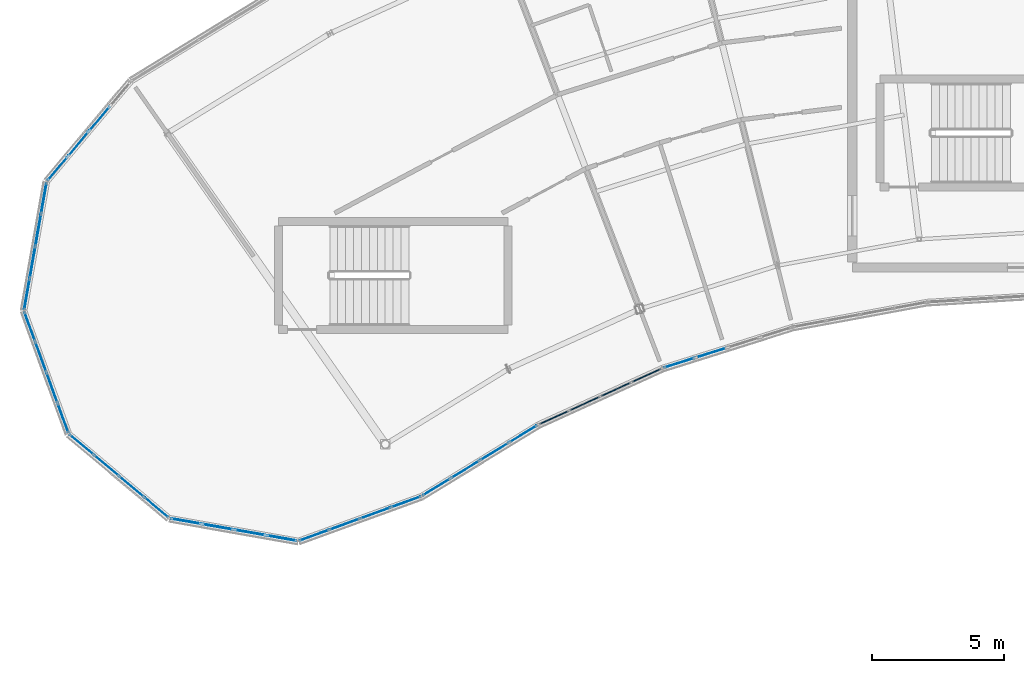
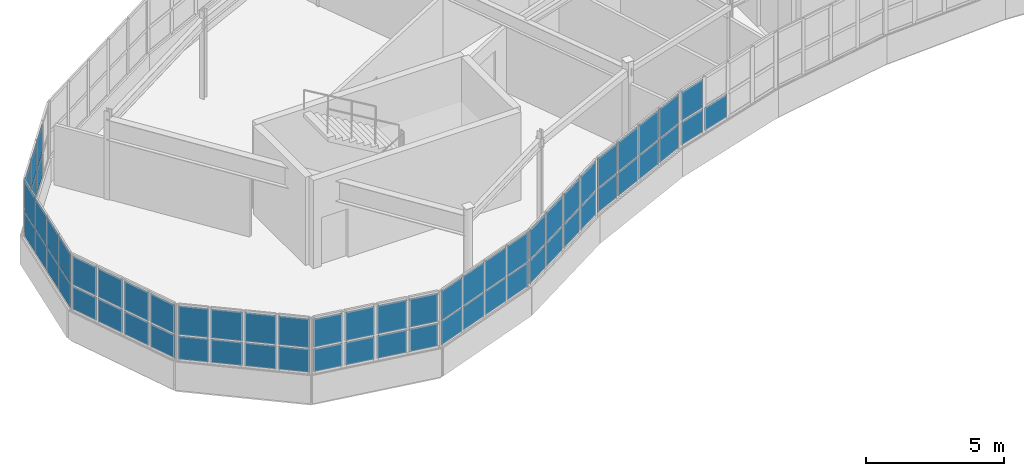
# One storey, part 51 of 79: 65 plates, 9 elements without a shape of their own.
"""IFC4 building model written with IfcOpenShell, lengths in metres."""

from ifc_helpers import new_model, si_unit, direction, frame, origin, origin_2d, place, context, subcontext, project, spatial, rectangle, extrude, material, layer, layer_set, type_object, element, aggregate, save


model = new_model("IFC4")

# Units and contexts
model_context = context("Model", 3, precision=1e-05, world=origin(), true_north=direction((0.0, 1.0)))
body_context = subcontext(model_context, "Body", "Model", "MODEL_VIEW")
ifc_project = project(units=[si_unit("LENGTHUNIT", "METRE"), si_unit("AREAUNIT", "SQUARE_METRE"), si_unit("VOLUMEUNIT", "CUBIC_METRE"), si_unit("PLANEANGLEUNIT", "RADIAN"), si_unit("MASSUNIT", "GRAM", prefix="KILO")], contexts=[model_context])

# Site, building, storey
site_placement = place(None, origin())
site = spatial("IfcSite", under=ifc_project, at=site_placement, CompositionType="ELEMENT")
building_placement = place(site_placement, origin())
building = spatial("IfcBuilding", under=site, at=building_placement, Name="Tarnwether General Hospital", CompositionType="ELEMENT")
storey_placement = place(building_placement, frame((0.0, 0.0, 18.300048828125)))
storey = spatial("IfcBuildingStorey", under=building, at=storey_placement, Name="L04", CompositionType="ELEMENT", Elevation=18.300048828125)

# Curtain wall, plates
ifc_material_1 = material(Name="Anodised aluminium", Category="aluminium")
ifc_layer_1 = layer(ifc_material_1, 0.159912109375)
ifc_layer_set_1 = layer_set([ifc_layer_1], Name="Anodised aluminium")
curtain_wall_type = type_object("IfcCurtainWallType", Name="CW-04", PredefinedType="NOTDEFINED", material=ifc_layer_set_1)
curtain_wall_1_placement = place(storey_placement, origin())
curtain_wall_1 = element("IfcCurtainWall", 1, at=curtain_wall_1_placement, inside=storey, type_object=curtain_wall_type, Name="Curtain Wall CWG-L04-543_1001-0034", PredefinedType="NOTDEFINED")
ifc_material_2 = material(Name="Double glazed low-E glass", Category="glass")
ifc_layer_2 = layer(ifc_material_2, 0.028076171875)
ifc_layer_set_2 = layer_set([ifc_layer_2], Name="Double glazed low-E glass")
plate_type_1 = type_object("IfcPlateType", Name="PT-CWP1", PredefinedType="CURTAIN_PANEL", material=ifc_layer_set_2)
plate_1_placement = place(storey_placement, frame((54.091552734375, 100.690185546875, 1.1201171875), z_axis=(0.0, 0.0, 1.0), x_axis=(-0.341953136469, 0.939717006582, 0.0)))
plate_1 = element("IfcPlate", 2, at=plate_1_placement, type_object=plate_type_1, Name="CW-04 panel 1.1", PredefinedType="CURTAIN_PANEL", context=body_context, shape_type="SweptSolid", body=[
    extrude(rectangle(XDim=1.13720703125, YDim=0.028076171875, at=origin_2d()), origin(), (0.0, 0.0, 1.0), 1.015380859375),
])
plate_2_placement = place(storey_placement, frame((54.091552734375, 100.690185546875, 2.20556640625), z_axis=(0.0, 0.0, 1.0), x_axis=(-0.341953136469, 0.939717006582, 0.0)))
plate_2 = element("IfcPlate", 3, at=plate_2_placement, type_object=plate_type_1, Name="CW-04 panel 1.2", PredefinedType="CURTAIN_PANEL", context=body_context, shape_type="SweptSolid", body=[
    extrude(rectangle(XDim=1.13720703125, YDim=0.028076171875, at=origin_2d()), origin(), (0.0, 0.0, 1.0), 1.264404296875),
])
plate_3_placement = place(storey_placement, frame((53.6728515625, 101.8408203125, 1.1201171875), z_axis=(0.0, 0.0, 1.0), x_axis=(-0.341953136469, 0.939717006582, 0.0)))
plate_3 = element("IfcPlate", 4, at=plate_3_placement, type_object=plate_type_1, Name="CW-04 panel 2.1", PredefinedType="CURTAIN_PANEL", context=body_context, shape_type="SweptSolid", body=[
    extrude(rectangle(XDim=1.172119140625, YDim=0.028076171875, at=origin_2d()), origin(), (0.0, 0.0, 1.0), 1.015380859375),
])
plate_4_placement = place(storey_placement, frame((53.6728515625, 101.8408203125, 2.20556640625), z_axis=(0.0, 0.0, 1.0), x_axis=(-0.341953136469, 0.939717006582, 0.0)))
plate_4 = element("IfcPlate", 5, at=plate_4_placement, type_object=plate_type_1, Name="CW-04 panel 2.2", PredefinedType="CURTAIN_PANEL", context=body_context, shape_type="SweptSolid", body=[
    extrude(rectangle(XDim=1.172119140625, YDim=0.028076171875, at=origin_2d()), origin(), (0.0, 0.0, 1.0), 1.264404296875),
])
plate_5_placement = place(storey_placement, frame((53.248046875, 103.008056640625, 1.1201171875), z_axis=(0.0, 0.0, 1.0), x_axis=(-0.341953136469, 0.939717006582, 0.0)))
plate_5 = element("IfcPlate", 6, at=plate_5_placement, type_object=plate_type_1, Name="CW-04 panel 3.1", PredefinedType="CURTAIN_PANEL", context=body_context, shape_type="SweptSolid", body=[
    extrude(rectangle(XDim=1.172119140625, YDim=0.028076171875, at=origin_2d()), origin(), (0.0, 0.0, 1.0), 1.015380859375),
])
plate_6_placement = place(storey_placement, frame((53.248046875, 103.008056640625, 2.20556640625), z_axis=(0.0, 0.0, 1.0), x_axis=(-0.341953136469, 0.939717006582, 0.0)))
plate_6 = element("IfcPlate", 7, at=plate_6_placement, type_object=plate_type_1, Name="CW-04 panel 3.2", PredefinedType="CURTAIN_PANEL", context=body_context, shape_type="SweptSolid", body=[
    extrude(rectangle(XDim=1.172119140625, YDim=0.028076171875, at=origin_2d()), origin(), (0.0, 0.0, 1.0), 1.264404296875),
])
plate_7_placement = place(storey_placement, frame((52.829345703125, 104.158935546875, 1.1201171875), z_axis=(0.0, 0.0, 1.0), x_axis=(-0.341953136469, 0.939717006582, 0.0)))
plate_7 = element("IfcPlate", 8, at=plate_7_placement, type_object=plate_type_1, Name="CW-04 panel 4.1", PredefinedType="CURTAIN_PANEL", context=body_context, shape_type="SweptSolid", body=[
    extrude(rectangle(XDim=1.13720703125, YDim=0.028076171875, at=origin_2d()), origin(), (0.0, 0.0, 1.0), 1.015380859375),
])
plate_8_placement = place(storey_placement, frame((52.829345703125, 104.158935546875, 2.20556640625), z_axis=(0.0, 0.0, 1.0), x_axis=(-0.341953136469, 0.939717006582, 0.0)))
plate_8 = element("IfcPlate", 9, at=plate_8_placement, type_object=plate_type_1, Name="CW-04 panel 4.2", PredefinedType="CURTAIN_PANEL", context=body_context, shape_type="SweptSolid", body=[
    extrude(rectangle(XDim=1.13720703125, YDim=0.028076171875, at=origin_2d()), origin(), (0.0, 0.0, 1.0), 1.264404296875),
])
aggregate(curtain_wall_1, [plate_1, plate_2, plate_3, plate_4, plate_5, plate_6, plate_7, plate_8])

curtain_wall_2_placement = place(storey_placement, origin())
curtain_wall_2 = element("IfcCurtainWall", 10, at=curtain_wall_2_placement, inside=storey, type_object=curtain_wall_type, Name="Curtain Wall CWG-L04-581_969-0035", PredefinedType="NOTDEFINED")
plate_9_placement = place(storey_placement, frame((57.628662109375, 97.304931640625, 1.114990234375), z_axis=(0.0, 0.0, 1.0), x_axis=(-0.765990176896, 0.64285227611, 0.0)))
plate_9 = element("IfcPlate", 11, at=plate_9_placement, type_object=plate_type_1, Name="CW-04 panel 1.1", PredefinedType="CURTAIN_PANEL", context=body_context, shape_type="SweptSolid", body=[
    extrude(rectangle(XDim=1.14501953125, YDim=0.028076171875, at=origin_2d()), origin(), (0.0, 0.0, 1.0), 1.02294921875),
])
plate_10_placement = place(storey_placement, frame((57.628662109375, 97.304931640625, 2.202880859375), z_axis=(0.0, 0.0, 1.0), x_axis=(-0.765990176896, 0.64285227611, 0.0)))
plate_10 = element("IfcPlate", 12, at=plate_10_placement, type_object=plate_type_1, Name="CW-04 panel 1.2", PredefinedType="CURTAIN_PANEL", context=body_context, shape_type="SweptSolid", body=[
    extrude(rectangle(XDim=1.14501953125, YDim=0.028076171875, at=origin_2d()), origin(), (0.0, 0.0, 1.0), 1.27197265625),
])
plate_11_placement = place(storey_placement, frame((56.689453125, 98.093017578125, 1.114990234375), z_axis=(0.0, 0.0, 1.0), x_axis=(-0.765990176896, 0.64285227611, 0.0)))
plate_11 = element("IfcPlate", 13, at=plate_11_placement, type_object=plate_type_1, Name="CW-04 panel 2.1", PredefinedType="CURTAIN_PANEL", context=body_context, shape_type="SweptSolid", body=[
    extrude(rectangle(XDim=1.177490234375, YDim=0.028076171875, at=origin_2d()), origin(), (0.0, 0.0, 1.0), 1.02294921875),
])
plate_12_placement = place(storey_placement, frame((56.689453125, 98.093017578125, 2.202880859375), z_axis=(0.0, 0.0, 1.0), x_axis=(-0.765990176896, 0.64285227611, 0.0)))
plate_12 = element("IfcPlate", 14, at=plate_12_placement, type_object=plate_type_1, Name="CW-04 panel 2.2", PredefinedType="CURTAIN_PANEL", context=body_context, shape_type="SweptSolid", body=[
    extrude(rectangle(XDim=1.177490234375, YDim=0.028076171875, at=origin_2d()), origin(), (0.0, 0.0, 1.0), 1.27197265625),
])
plate_13_placement = place(storey_placement, frame((55.737548828125, 98.891845703125, 1.114990234375), z_axis=(0.0, 0.0, 1.0), x_axis=(-0.765990176896, 0.64285227611, 0.0)))
plate_13 = element("IfcPlate", 15, at=plate_13_placement, type_object=plate_type_1, Name="CW-04 panel 3.1", PredefinedType="CURTAIN_PANEL", context=body_context, shape_type="SweptSolid", body=[
    extrude(rectangle(XDim=1.177490234375, YDim=0.028076171875, at=origin_2d()), origin(), (0.0, 0.0, 1.0), 1.02294921875),
])
plate_14_placement = place(storey_placement, frame((55.737548828125, 98.891845703125, 2.202880859375), z_axis=(0.0, 0.0, 1.0), x_axis=(-0.765990176896, 0.64285227611, 0.0)))
plate_14 = element("IfcPlate", 16, at=plate_14_placement, type_object=plate_type_1, Name="CW-04 panel 3.2", PredefinedType="CURTAIN_PANEL", context=body_context, shape_type="SweptSolid", body=[
    extrude(rectangle(XDim=1.177490234375, YDim=0.028076171875, at=origin_2d()), origin(), (0.0, 0.0, 1.0), 1.27197265625),
])
plate_15_placement = place(storey_placement, frame((54.79833984375, 99.68017578125, 1.114990234375), z_axis=(0.0, 0.0, 1.0), x_axis=(-0.765990176896, 0.64285227611, 0.0)))
plate_15 = element("IfcPlate", 17, at=plate_15_placement, type_object=plate_type_1, Name="CW-04 panel 4.1", PredefinedType="CURTAIN_PANEL", context=body_context, shape_type="SweptSolid", body=[
    extrude(rectangle(XDim=1.14501953125, YDim=0.028076171875, at=origin_2d()), origin(), (0.0, 0.0, 1.0), 1.02294921875),
])
plate_16_placement = place(storey_placement, frame((54.79833984375, 99.68017578125, 2.202880859375), z_axis=(0.0, 0.0, 1.0), x_axis=(-0.765990176896, 0.64285227611, 0.0)))
plate_16 = element("IfcPlate", 18, at=plate_16_placement, type_object=plate_type_1, Name="CW-04 panel 4.2", PredefinedType="CURTAIN_PANEL", context=body_context, shape_type="SweptSolid", body=[
    extrude(rectangle(XDim=1.14501953125, YDim=0.028076171875, at=origin_2d()), origin(), (0.0, 0.0, 1.0), 1.27197265625),
])
aggregate(curtain_wall_2, [plate_9, plate_10, plate_11, plate_12, plate_13, plate_14, plate_15, plate_16])

curtain_wall_3_placement = place(storey_placement, origin())
curtain_wall_3 = element("IfcCurtainWall", 19, at=curtain_wall_3_placement, inside=storey, type_object=curtain_wall_type, Name="Curtain Wall CWG-L04-677_977-0037", PredefinedType="NOTDEFINED")
plate_17_placement = place(storey_placement, frame((67.082275390625, 97.514404296875, 1.10986328125), z_axis=(0.0, 0.0, 1.0), x_axis=(-0.939652319163, -0.342130850834, 0.0)))
plate_17 = element("IfcPlate", 20, at=plate_17_placement, type_object=plate_type_1, Name="CW-04 panel 1.1", PredefinedType="CURTAIN_PANEL", context=body_context, shape_type="SweptSolid", body=[
    extrude(rectangle(XDim=1.152099609375, YDim=0.028076171875, at=origin_2d()), origin(), (0.0, 0.0, 1.0), 1.030517578125),
])
plate_18_placement = place(storey_placement, frame((67.082275390625, 97.514404296875, 2.2001953125), z_axis=(0.0, 0.0, 1.0), x_axis=(-0.939652319163, -0.342130850834, 0.0)))
plate_18 = element("IfcPlate", 21, at=plate_18_placement, type_object=plate_type_1, Name="CW-04 panel 1.2", PredefinedType="CURTAIN_PANEL", context=body_context, shape_type="SweptSolid", body=[
    extrude(rectangle(XDim=1.152099609375, YDim=0.028076171875, at=origin_2d()), origin(), (0.0, 0.0, 1.0), 1.279541015625),
])
plate_19_placement = place(storey_placement, frame((65.92919921875, 97.094482421875, 1.10986328125), z_axis=(0.0, 0.0, 1.0), x_axis=(-0.939652319163, -0.342130850834, 0.0)))
plate_19 = element("IfcPlate", 22, at=plate_19_placement, type_object=plate_type_1, Name="CW-04 panel 2.1", PredefinedType="CURTAIN_PANEL", context=body_context, shape_type="SweptSolid", body=[
    extrude(rectangle(XDim=1.18212890625, YDim=0.028076171875, at=origin_2d()), origin(), (0.0, 0.0, 1.0), 1.030517578125),
])
plate_20_placement = place(storey_placement, frame((65.92919921875, 97.094482421875, 2.2001953125), z_axis=(0.0, 0.0, 1.0), x_axis=(-0.939652319163, -0.342130850834, 0.0)))
plate_20 = element("IfcPlate", 23, at=plate_20_placement, type_object=plate_type_1, Name="CW-04 panel 2.2", PredefinedType="CURTAIN_PANEL", context=body_context, shape_type="SweptSolid", body=[
    extrude(rectangle(XDim=1.18212890625, YDim=0.028076171875, at=origin_2d()), origin(), (0.0, 0.0, 1.0), 1.279541015625),
])
plate_21_placement = place(storey_placement, frame((64.761962890625, 96.66943359375, 1.10986328125), z_axis=(0.0, 0.0, 1.0), x_axis=(-0.939652319163, -0.342130850834, 0.0)))
plate_21 = element("IfcPlate", 24, at=plate_21_placement, type_object=plate_type_1, Name="CW-04 panel 3.1", PredefinedType="CURTAIN_PANEL", context=body_context, shape_type="SweptSolid", body=[
    extrude(rectangle(XDim=1.18212890625, YDim=0.028076171875, at=origin_2d()), origin(), (0.0, 0.0, 1.0), 1.030517578125),
])
plate_22_placement = place(storey_placement, frame((64.761962890625, 96.66943359375, 2.2001953125), z_axis=(0.0, 0.0, 1.0), x_axis=(-0.939652319163, -0.342130850834, 0.0)))
plate_22 = element("IfcPlate", 25, at=plate_22_placement, type_object=plate_type_1, Name="CW-04 panel 3.2", PredefinedType="CURTAIN_PANEL", context=body_context, shape_type="SweptSolid", body=[
    extrude(rectangle(XDim=1.18212890625, YDim=0.028076171875, at=origin_2d()), origin(), (0.0, 0.0, 1.0), 1.279541015625),
])
plate_23_placement = place(storey_placement, frame((63.608642578125, 96.24951171875, 1.10986328125), z_axis=(0.0, 0.0, 1.0), x_axis=(-0.939652319163, -0.342130850834, 0.0)))
plate_23 = element("IfcPlate", 26, at=plate_23_placement, type_object=plate_type_1, Name="CW-04 panel 4.1", PredefinedType="CURTAIN_PANEL", context=body_context, shape_type="SweptSolid", body=[
    extrude(rectangle(XDim=1.152099609375, YDim=0.028076171875, at=origin_2d()), origin(), (0.0, 0.0, 1.0), 1.030517578125),
])
plate_24_placement = place(storey_placement, frame((63.608642578125, 96.24951171875, 2.2001953125), z_axis=(0.0, 0.0, 1.0), x_axis=(-0.939652319163, -0.342130850834, 0.0)))
plate_24 = element("IfcPlate", 27, at=plate_24_placement, type_object=plate_type_1, Name="CW-04 panel 4.2", PredefinedType="CURTAIN_PANEL", context=body_context, shape_type="SweptSolid", body=[
    extrude(rectangle(XDim=1.152099609375, YDim=0.028076171875, at=origin_2d()), origin(), (0.0, 0.0, 1.0), 1.279541015625),
])
aggregate(curtain_wall_3, [plate_17, plate_18, plate_19, plate_20, plate_21, plate_22, plate_23, plate_24])

curtain_wall_4_placement = place(storey_placement, origin())
curtain_wall_4 = element("IfcCurtainWall", 28, at=curtain_wall_4_placement, inside=storey, type_object=curtain_wall_type, Name="Curtain Wall CWG-L04-721_1004-0038", PredefinedType="NOTDEFINED")
plate_25_placement = place(storey_placement, frame((71.52734375, 100.08984375, 1.1201171875), z_axis=(0.0, 0.0, 1.0), x_axis=(-0.852631789198, -0.522512231483, 0.0)))
plate_25 = element("IfcPlate", 29, at=plate_25_placement, type_object=plate_type_1, Name="CW-04 panel 1.1", PredefinedType="CURTAIN_PANEL", context=body_context, shape_type="SweptSolid", body=[
    extrude(rectangle(XDim=1.189208984375, YDim=0.028076171875, at=origin_2d()), origin(), (0.0, 0.0, 1.0), 1.015380859375),
])
plate_26_placement = place(storey_placement, frame((71.52734375, 100.08984375, 2.20556640625), z_axis=(0.0, 0.0, 1.0), x_axis=(-0.852631789198, -0.522512231483, 0.0)))
plate_26 = element("IfcPlate", 30, at=plate_26_placement, type_object=plate_type_1, Name="CW-04 panel 1.2", PredefinedType="CURTAIN_PANEL", context=body_context, shape_type="SweptSolid", body=[
    extrude(rectangle(XDim=1.189208984375, YDim=0.028076171875, at=origin_2d()), origin(), (0.0, 0.0, 1.0), 1.264404296875),
])
plate_27_placement = place(storey_placement, frame((70.438720703125, 99.422607421875, 1.1201171875), z_axis=(0.0, 0.0, 1.0), x_axis=(-0.852631789198, -0.522512231483, 0.0)))
plate_27 = element("IfcPlate", 31, at=plate_27_placement, type_object=plate_type_1, Name="CW-04 panel 2.1", PredefinedType="CURTAIN_PANEL", context=body_context, shape_type="SweptSolid", body=[
    extrude(rectangle(XDim=1.22412109375, YDim=0.028076171875, at=origin_2d()), origin(), (0.0, 0.0, 1.0), 1.015380859375),
])
plate_28_placement = place(storey_placement, frame((70.438720703125, 99.422607421875, 2.20556640625), z_axis=(0.0, 0.0, 1.0), x_axis=(-0.852631789198, -0.522512231483, 0.0)))
plate_28 = element("IfcPlate", 32, at=plate_28_placement, type_object=plate_type_1, Name="CW-04 panel 2.2", PredefinedType="CURTAIN_PANEL", context=body_context, shape_type="SweptSolid", body=[
    extrude(rectangle(XDim=1.22412109375, YDim=0.028076171875, at=origin_2d()), origin(), (0.0, 0.0, 1.0), 1.264404296875),
])
plate_29_placement = place(storey_placement, frame((69.335205078125, 98.746337890625, 1.1201171875), z_axis=(0.0, 0.0, 1.0), x_axis=(-0.852631789198, -0.522512231483, 0.0)))
plate_29 = element("IfcPlate", 33, at=plate_29_placement, type_object=plate_type_1, Name="CW-04 panel 3.1", PredefinedType="CURTAIN_PANEL", context=body_context, shape_type="SweptSolid", body=[
    extrude(rectangle(XDim=1.22412109375, YDim=0.028076171875, at=origin_2d()), origin(), (0.0, 0.0, 1.0), 1.015380859375),
])
plate_30_placement = place(storey_placement, frame((69.335205078125, 98.746337890625, 2.20556640625), z_axis=(0.0, 0.0, 1.0), x_axis=(-0.852631789198, -0.522512231483, 0.0)))
plate_30 = element("IfcPlate", 34, at=plate_30_placement, type_object=plate_type_1, Name="CW-04 panel 3.2", PredefinedType="CURTAIN_PANEL", context=body_context, shape_type="SweptSolid", body=[
    extrude(rectangle(XDim=1.22412109375, YDim=0.028076171875, at=origin_2d()), origin(), (0.0, 0.0, 1.0), 1.264404296875),
])
plate_31_placement = place(storey_placement, frame((68.24658203125, 98.079345703125, 1.1201171875), z_axis=(0.0, 0.0, 1.0), x_axis=(-0.852631789198, -0.522512231483, 0.0)))
plate_31 = element("IfcPlate", 35, at=plate_31_placement, type_object=plate_type_1, Name="CW-04 panel 4.1", PredefinedType="CURTAIN_PANEL", context=body_context, shape_type="SweptSolid", body=[
    extrude(rectangle(XDim=1.189208984375, YDim=0.028076171875, at=origin_2d()), origin(), (0.0, 0.0, 1.0), 1.015380859375),
])
plate_32_placement = place(storey_placement, frame((68.24658203125, 98.079345703125, 2.20556640625), z_axis=(0.0, 0.0, 1.0), x_axis=(-0.852631789198, -0.522512231483, 0.0)))
plate_32 = element("IfcPlate", 36, at=plate_32_placement, type_object=plate_type_1, Name="CW-04 panel 4.2", PredefinedType="CURTAIN_PANEL", context=body_context, shape_type="SweptSolid", body=[
    extrude(rectangle(XDim=1.189208984375, YDim=0.028076171875, at=origin_2d()), origin(), (0.0, 0.0, 1.0), 1.264404296875),
])
aggregate(curtain_wall_4, [plate_25, plate_26, plate_27, plate_28, plate_29, plate_30, plate_31, plate_32])

curtain_wall_5_placement = place(storey_placement, origin())
curtain_wall_5 = element("IfcCurtainWall", 37, at=curtain_wall_5_placement, inside=storey, type_object=curtain_wall_type, Name="Curtain Wall CWG-L04-817_1041-0040", PredefinedType="NOTDEFINED")
plate_33_placement = place(storey_placement, frame((78.65673828125, 103.16796875, 1.1298828125), z_axis=(0.0, 0.0, 1.0), x_axis=(-0.953713927508, -0.30071538783, 0.0)))
plate_33 = element("IfcPlate", 38, at=plate_33_placement, type_object=plate_type_1, Name="CW-04 panel 3.1", PredefinedType="CURTAIN_PANEL", context=body_context, shape_type="SweptSolid", body=[
    extrude(rectangle(XDim=1.21435546875, YDim=0.028076171875, at=origin_2d()), origin(), (0.0, 0.0, 1.0), 1.00048828125),
])
plate_34_placement = place(storey_placement, frame((77.44140625, 102.78466796875, 1.1298828125), z_axis=(0.0, 0.0, 1.0), x_axis=(-0.953713927508, -0.30071538783, 0.0)))
plate_34 = element("IfcPlate", 39, at=plate_34_placement, type_object=plate_type_1, Name="CW-04 panel 4.1", PredefinedType="CURTAIN_PANEL", context=body_context, shape_type="SweptSolid", body=[
    extrude(rectangle(XDim=1.17431640625, YDim=0.028076171875, at=origin_2d()), origin(), (0.0, 0.0, 1.0), 1.00048828125),
])
plate_35_placement = place(storey_placement, frame((77.44140625, 102.78466796875, 2.21044921875), z_axis=(0.0, 0.0, 1.0), x_axis=(-0.953713927508, -0.30071538783, 0.0)))
plate_35 = element("IfcPlate", 40, at=plate_35_placement, type_object=plate_type_1, Name="CW-04 panel 4.2", PredefinedType="CURTAIN_PANEL", context=body_context, shape_type="SweptSolid", body=[
    extrude(rectangle(XDim=1.17431640625, YDim=0.028076171875, at=origin_2d()), origin(), (0.0, 0.0, 1.0), 1.24951171875),
])
aggregate(curtain_wall_5, [plate_33, plate_34, plate_35])

curtain_wall_6_placement = place(storey_placement, origin())
curtain_wall_6 = element("IfcCurtainWall", 41, at=curtain_wall_6_placement, inside=storey, type_object=curtain_wall_type, Name="Curtain Wall CWG-L04-535_1097-0064", PredefinedType="NOTDEFINED")
plate_36_placement = place(storey_placement, frame((53.88525390625, 110.144287109375, 1.1298828125), z_axis=(0.0, 0.0, 1.0), x_axis=(0.64285227611, 0.765990176896, 0.0)))
plate_36 = element("IfcPlate", 42, at=plate_36_placement, type_object=plate_type_1, Name="CW-04 panel 1.1", PredefinedType="CURTAIN_PANEL", context=body_context, shape_type="SweptSolid", body=[
    extrude(rectangle(XDim=1.12255859375, YDim=0.028076171875, at=origin_2d()), origin(), (0.0, 0.0, 1.0), 1.00048828125),
])
plate_37_placement = place(storey_placement, frame((53.88525390625, 110.144287109375, 2.21044921875), z_axis=(0.0, 0.0, 1.0), x_axis=(0.64285227611, 0.765990176896, 0.0)))
plate_37 = element("IfcPlate", 43, at=plate_37_placement, type_object=plate_type_1, Name="CW-04 panel 1.2", PredefinedType="CURTAIN_PANEL", context=body_context, shape_type="SweptSolid", body=[
    extrude(rectangle(XDim=1.12255859375, YDim=0.028076171875, at=origin_2d()), origin(), (0.0, 0.0, 1.0), 1.24951171875),
])
plate_38_placement = place(storey_placement, frame((54.671142578125, 111.08056640625, 1.1298828125), z_axis=(0.0, 0.0, 1.0), x_axis=(0.64285227611, 0.765990176896, 0.0)))
plate_38 = element("IfcPlate", 44, at=plate_38_placement, type_object=plate_type_1, Name="CW-04 panel 2.1", PredefinedType="CURTAIN_PANEL", context=body_context, shape_type="SweptSolid", body=[
    extrude(rectangle(XDim=1.16259765625, YDim=0.028076171875, at=origin_2d()), origin(), (0.0, 0.0, 1.0), 1.00048828125),
])
plate_39_placement = place(storey_placement, frame((54.671142578125, 111.08056640625, 2.21044921875), z_axis=(0.0, 0.0, 1.0), x_axis=(0.64285227611, 0.765990176896, 0.0)))
plate_39 = element("IfcPlate", 45, at=plate_39_placement, type_object=plate_type_1, Name="CW-04 panel 2.2", PredefinedType="CURTAIN_PANEL", context=body_context, shape_type="SweptSolid", body=[
    extrude(rectangle(XDim=1.16259765625, YDim=0.028076171875, at=origin_2d()), origin(), (0.0, 0.0, 1.0), 1.24951171875),
])
plate_40_placement = place(storey_placement, frame((55.469970703125, 112.032470703125, 1.1298828125), z_axis=(0.0, 0.0, 1.0), x_axis=(0.64285227611, 0.765990176896, 0.0)))
plate_40 = element("IfcPlate", 46, at=plate_40_placement, type_object=plate_type_1, Name="CW-04 panel 3.1", PredefinedType="CURTAIN_PANEL", context=body_context, shape_type="SweptSolid", body=[
    extrude(rectangle(XDim=1.16259765625, YDim=0.028076171875, at=origin_2d()), origin(), (0.0, 0.0, 1.0), 1.00048828125),
])
plate_41_placement = place(storey_placement, frame((55.469970703125, 112.032470703125, 2.21044921875), z_axis=(0.0, 0.0, 1.0), x_axis=(0.64285227611, 0.765990176896, 0.0)))
plate_41 = element("IfcPlate", 47, at=plate_41_placement, type_object=plate_type_1, Name="CW-04 panel 3.2", PredefinedType="CURTAIN_PANEL", context=body_context, shape_type="SweptSolid", body=[
    extrude(rectangle(XDim=1.16259765625, YDim=0.028076171875, at=origin_2d()), origin(), (0.0, 0.0, 1.0), 1.24951171875),
])
aggregate(curtain_wall_6, [plate_36, plate_37, plate_38, plate_39, plate_40, plate_41])

curtain_wall_7_placement = place(storey_placement, origin())
curtain_wall_7 = element("IfcCurtainWall", 48, at=curtain_wall_7_placement, inside=storey, type_object=curtain_wall_type, Name="Curtain Wall CWG-L04-526_1048-0033", PredefinedType="NOTDEFINED")
ifc_material_3 = material(Name="Double glazed low-E glass", Category="glass")
ifc_layer_3 = layer(ifc_material_3, 0.035888671875)
ifc_layer_set_3 = layer_set([ifc_layer_3], Name="Double glazed low-E glass")
plate_type_2 = type_object("IfcPlateType", Name="PT-CWP2", PredefinedType="CURTAIN_PANEL", material=ifc_layer_set_3)
plate_42_placement = place(storey_placement, frame((52.721435546875, 105.385498046875, 1.10986328125), z_axis=(0.0, 0.0, 1.0), x_axis=(0.173463890135, 0.984840230098, 0.0)))
plate_42 = element("IfcPlate", 49, at=plate_42_placement, type_object=plate_type_2, Name="CW-04 panel 1.1", PredefinedType="CURTAIN_PANEL", context=body_context, shape_type="SweptSolid", body=[
    extrude(rectangle(XDim=1.15234375, YDim=0.035888671875, at=origin_2d()), origin(), (0.0, 0.0, 1.0), 1.030517578125),
])
plate_43_placement = place(storey_placement, frame((52.721435546875, 105.385498046875, 2.2001953125), z_axis=(0.0, 0.0, 1.0), x_axis=(0.173463890135, 0.984840230098, 0.0)))
plate_43 = element("IfcPlate", 50, at=plate_43_placement, type_object=plate_type_2, Name="CW-04 panel 1.2", PredefinedType="CURTAIN_PANEL", context=body_context, shape_type="SweptSolid", body=[
    extrude(rectangle(XDim=1.15234375, YDim=0.035888671875, at=origin_2d()), origin(), (0.0, 0.0, 1.0), 1.279541015625),
])
plate_44_placement = place(storey_placement, frame((52.934326171875, 106.59423828125, 1.10986328125), z_axis=(0.0, 0.0, 1.0), x_axis=(0.173463890135, 0.984840230098, 0.0)))
plate_44 = element("IfcPlate", 51, at=plate_44_placement, type_object=plate_type_2, Name="CW-04 panel 2.1", PredefinedType="CURTAIN_PANEL", context=body_context, shape_type="SweptSolid", body=[
    extrude(rectangle(XDim=1.182373046875, YDim=0.035888671875, at=origin_2d()), origin(), (0.0, 0.0, 1.0), 1.030517578125),
])
plate_45_placement = place(storey_placement, frame((52.934326171875, 106.59423828125, 2.2001953125), z_axis=(0.0, 0.0, 1.0), x_axis=(0.173463890135, 0.984840230098, 0.0)))
plate_45 = element("IfcPlate", 52, at=plate_45_placement, type_object=plate_type_2, Name="CW-04 panel 2.2", PredefinedType="CURTAIN_PANEL", context=body_context, shape_type="SweptSolid", body=[
    extrude(rectangle(XDim=1.182373046875, YDim=0.035888671875, at=origin_2d()), origin(), (0.0, 0.0, 1.0), 1.279541015625),
])
plate_46_placement = place(storey_placement, frame((53.149658203125, 107.81787109375, 1.10986328125), z_axis=(0.0, 0.0, 1.0), x_axis=(0.173463890135, 0.984840230098, 0.0)))
plate_46 = element("IfcPlate", 53, at=plate_46_placement, type_object=plate_type_2, Name="CW-04 panel 3.1", PredefinedType="CURTAIN_PANEL", context=body_context, shape_type="SweptSolid", body=[
    extrude(rectangle(XDim=1.182373046875, YDim=0.035888671875, at=origin_2d()), origin(), (0.0, 0.0, 1.0), 1.030517578125),
])
plate_47_placement = place(storey_placement, frame((53.149658203125, 107.81787109375, 2.2001953125), z_axis=(0.0, 0.0, 1.0), x_axis=(0.173463890135, 0.984840230098, 0.0)))
plate_47 = element("IfcPlate", 54, at=plate_47_placement, type_object=plate_type_2, Name="CW-04 panel 3.2", PredefinedType="CURTAIN_PANEL", context=body_context, shape_type="SweptSolid", body=[
    extrude(rectangle(XDim=1.182373046875, YDim=0.035888671875, at=origin_2d()), origin(), (0.0, 0.0, 1.0), 1.279541015625),
])
plate_48_placement = place(storey_placement, frame((53.362548828125, 109.0263671875, 1.10986328125), z_axis=(0.0, 0.0, 1.0), x_axis=(0.173463890135, 0.984840230098, 0.0)))
plate_48 = element("IfcPlate", 55, at=plate_48_placement, type_object=plate_type_2, Name="CW-04 panel 4.1", PredefinedType="CURTAIN_PANEL", context=body_context, shape_type="SweptSolid", body=[
    extrude(rectangle(XDim=1.15234375, YDim=0.035888671875, at=origin_2d()), origin(), (0.0, 0.0, 1.0), 1.030517578125),
])
plate_49_placement = place(storey_placement, frame((53.362548828125, 109.0263671875, 2.2001953125), z_axis=(0.0, 0.0, 1.0), x_axis=(0.173463890135, 0.984840230098, 0.0)))
plate_49 = element("IfcPlate", 56, at=plate_49_placement, type_object=plate_type_2, Name="CW-04 panel 4.2", PredefinedType="CURTAIN_PANEL", context=body_context, shape_type="SweptSolid", body=[
    extrude(rectangle(XDim=1.15234375, YDim=0.035888671875, at=origin_2d()), origin(), (0.0, 0.0, 1.0), 1.279541015625),
])
aggregate(curtain_wall_7, [plate_42, plate_43, plate_44, plate_45, plate_46, plate_47, plate_48, plate_49])

curtain_wall_8_placement = place(storey_placement, origin())
curtain_wall_8 = element("IfcCurtainWall", 57, at=curtain_wall_8_placement, inside=storey, type_object=curtain_wall_type, Name="Curtain Wall CWG-L04-630_960-0036", PredefinedType="NOTDEFINED")
plate_50_placement = place(storey_placement, frame((62.379638671875, 96.143310546875, 1.1298828125), z_axis=(0.0, 0.0, 1.0), x_axis=(-0.984805834268, 0.173659059054, 0.0)))
plate_50 = element("IfcPlate", 58, at=plate_50_placement, type_object=plate_type_2, Name="CW-04 panel 1.1", PredefinedType="CURTAIN_PANEL", context=body_context, shape_type="SweptSolid", body=[
    extrude(rectangle(XDim=1.122314453125, YDim=0.035888671875, at=origin_2d()), origin(), (0.0, 0.0, 1.0), 1.00048828125),
])
plate_51_placement = place(storey_placement, frame((62.379638671875, 96.143310546875, 2.21044921875), z_axis=(0.0, 0.0, 1.0), x_axis=(-0.984805834268, 0.173659059054, 0.0)))
plate_51 = element("IfcPlate", 59, at=plate_51_placement, type_object=plate_type_2, Name="CW-04 panel 1.2", PredefinedType="CURTAIN_PANEL", context=body_context, shape_type="SweptSolid", body=[
    extrude(rectangle(XDim=1.122314453125, YDim=0.035888671875, at=origin_2d()), origin(), (0.0, 0.0, 1.0), 1.24951171875),
])
plate_52_placement = place(storey_placement, frame((61.17578125, 96.355712890625, 1.1298828125), z_axis=(0.0, 0.0, 1.0), x_axis=(-0.984805834268, 0.173659059054, 0.0)))
plate_52 = element("IfcPlate", 60, at=plate_52_placement, type_object=plate_type_2, Name="CW-04 panel 2.1", PredefinedType="CURTAIN_PANEL", context=body_context, shape_type="SweptSolid", body=[
    extrude(rectangle(XDim=1.162353515625, YDim=0.035888671875, at=origin_2d()), origin(), (0.0, 0.0, 1.0), 1.00048828125),
])
plate_53_placement = place(storey_placement, frame((61.17578125, 96.355712890625, 2.21044921875), z_axis=(0.0, 0.0, 1.0), x_axis=(-0.984805834268, 0.173659059054, 0.0)))
plate_53 = element("IfcPlate", 61, at=plate_53_placement, type_object=plate_type_2, Name="CW-04 panel 2.2", PredefinedType="CURTAIN_PANEL", context=body_context, shape_type="SweptSolid", body=[
    extrude(rectangle(XDim=1.162353515625, YDim=0.035888671875, at=origin_2d()), origin(), (0.0, 0.0, 1.0), 1.24951171875),
])
plate_54_placement = place(storey_placement, frame((59.9521484375, 96.5712890625, 1.1298828125), z_axis=(0.0, 0.0, 1.0), x_axis=(-0.984805834268, 0.173659059054, 0.0)))
plate_54 = element("IfcPlate", 62, at=plate_54_placement, type_object=plate_type_2, Name="CW-04 panel 3.1", PredefinedType="CURTAIN_PANEL", context=body_context, shape_type="SweptSolid", body=[
    extrude(rectangle(XDim=1.162353515625, YDim=0.035888671875, at=origin_2d()), origin(), (0.0, 0.0, 1.0), 1.00048828125),
])
plate_55_placement = place(storey_placement, frame((59.9521484375, 96.5712890625, 2.21044921875), z_axis=(0.0, 0.0, 1.0), x_axis=(-0.984805834268, 0.173659059054, 0.0)))
plate_55 = element("IfcPlate", 63, at=plate_55_placement, type_object=plate_type_2, Name="CW-04 panel 3.2", PredefinedType="CURTAIN_PANEL", context=body_context, shape_type="SweptSolid", body=[
    extrude(rectangle(XDim=1.162353515625, YDim=0.035888671875, at=origin_2d()), origin(), (0.0, 0.0, 1.0), 1.24951171875),
])
plate_56_placement = place(storey_placement, frame((58.74853515625, 96.78369140625, 1.1298828125), z_axis=(0.0, 0.0, 1.0), x_axis=(-0.984805834268, 0.173659059054, 0.0)))
plate_56 = element("IfcPlate", 64, at=plate_56_placement, type_object=plate_type_2, Name="CW-04 panel 4.1", PredefinedType="CURTAIN_PANEL", context=body_context, shape_type="SweptSolid", body=[
    extrude(rectangle(XDim=1.122314453125, YDim=0.035888671875, at=origin_2d()), origin(), (0.0, 0.0, 1.0), 1.00048828125),
])
plate_57_placement = place(storey_placement, frame((58.74853515625, 96.78369140625, 2.21044921875), z_axis=(0.0, 0.0, 1.0), x_axis=(-0.984805834268, 0.173659059054, 0.0)))
plate_57 = element("IfcPlate", 65, at=plate_57_placement, type_object=plate_type_2, Name="CW-04 panel 4.2", PredefinedType="CURTAIN_PANEL", context=body_context, shape_type="SweptSolid", body=[
    extrude(rectangle(XDim=1.122314453125, YDim=0.035888671875, at=origin_2d()), origin(), (0.0, 0.0, 1.0), 1.24951171875),
])
aggregate(curtain_wall_8, [plate_50, plate_51, plate_52, plate_53, plate_54, plate_55, plate_56, plate_57])

curtain_wall_9_placement = place(storey_placement, origin())
curtain_wall_9 = element("IfcCurtainWall", 66, at=curtain_wall_9_placement, inside=storey, type_object=curtain_wall_type, Name="Curtain Wall CWG-L04-768_1026-0039", PredefinedType="NOTDEFINED")
plate_58_placement = place(storey_placement, frame((76.201416015625, 102.308837890625, 1.114990234375), z_axis=(0.0, 0.0, 1.0), x_axis=(-0.90995590549, -0.41470501572, 0.0)))
plate_58 = element("IfcPlate", 67, at=plate_58_placement, type_object=plate_type_2, Name="CW-04 panel 1.1", PredefinedType="CURTAIN_PANEL", context=body_context, shape_type="SweptSolid", body=[
    extrude(rectangle(XDim=1.19677734375, YDim=0.035888671875, at=origin_2d()), origin(), (0.0, 0.0, 1.0), 1.02294921875),
])
plate_59_placement = place(storey_placement, frame((76.201416015625, 102.308837890625, 2.202880859375), z_axis=(0.0, 0.0, 1.0), x_axis=(-0.90995590549, -0.41470501572, 0.0)))
plate_59 = element("IfcPlate", 68, at=plate_59_placement, type_object=plate_type_2, Name="CW-04 panel 1.2", PredefinedType="CURTAIN_PANEL", context=body_context, shape_type="SweptSolid", body=[
    extrude(rectangle(XDim=1.19677734375, YDim=0.035888671875, at=origin_2d()), origin(), (0.0, 0.0, 1.0), 1.27197265625),
])
plate_60_placement = place(storey_placement, frame((75.038330078125, 101.77880859375, 1.114990234375), z_axis=(0.0, 0.0, 1.0), x_axis=(-0.90995590549, -0.41470501572, 0.0)))
plate_60 = element("IfcPlate", 69, at=plate_60_placement, type_object=plate_type_2, Name="CW-04 panel 2.1", PredefinedType="CURTAIN_PANEL", context=body_context, shape_type="SweptSolid", body=[
    extrude(rectangle(XDim=1.229248046875, YDim=0.035888671875, at=origin_2d()), origin(), (0.0, 0.0, 1.0), 1.02294921875),
])
plate_61_placement = place(storey_placement, frame((75.038330078125, 101.77880859375, 2.202880859375), z_axis=(0.0, 0.0, 1.0), x_axis=(-0.90995590549, -0.41470501572, 0.0)))
plate_61 = element("IfcPlate", 70, at=plate_61_placement, type_object=plate_type_2, Name="CW-04 panel 2.2", PredefinedType="CURTAIN_PANEL", context=body_context, shape_type="SweptSolid", body=[
    extrude(rectangle(XDim=1.229248046875, YDim=0.035888671875, at=origin_2d()), origin(), (0.0, 0.0, 1.0), 1.27197265625),
])
plate_62_placement = place(storey_placement, frame((73.860595703125, 101.2421875, 1.114990234375), z_axis=(0.0, 0.0, 1.0), x_axis=(-0.90995590549, -0.41470501572, 0.0)))
plate_62 = element("IfcPlate", 71, at=plate_62_placement, type_object=plate_type_2, Name="CW-04 panel 3.1", PredefinedType="CURTAIN_PANEL", context=body_context, shape_type="SweptSolid", body=[
    extrude(rectangle(XDim=1.229248046875, YDim=0.035888671875, at=origin_2d()), origin(), (0.0, 0.0, 1.0), 1.02294921875),
])
plate_63_placement = place(storey_placement, frame((73.860595703125, 101.2421875, 2.202880859375), z_axis=(0.0, 0.0, 1.0), x_axis=(-0.90995590549, -0.41470501572, 0.0)))
plate_63 = element("IfcPlate", 72, at=plate_63_placement, type_object=plate_type_2, Name="CW-04 panel 3.2", PredefinedType="CURTAIN_PANEL", context=body_context, shape_type="SweptSolid", body=[
    extrude(rectangle(XDim=1.229248046875, YDim=0.035888671875, at=origin_2d()), origin(), (0.0, 0.0, 1.0), 1.27197265625),
])
plate_64_placement = place(storey_placement, frame((72.69775390625, 100.712158203125, 1.114990234375), z_axis=(0.0, 0.0, 1.0), x_axis=(-0.90995590549, -0.41470501572, 0.0)))
plate_64 = element("IfcPlate", 73, at=plate_64_placement, type_object=plate_type_2, Name="CW-04 panel 4.1", PredefinedType="CURTAIN_PANEL", context=body_context, shape_type="SweptSolid", body=[
    extrude(rectangle(XDim=1.19677734375, YDim=0.035888671875, at=origin_2d()), origin(), (0.0, 0.0, 1.0), 1.02294921875),
])
plate_65_placement = place(storey_placement, frame((72.69775390625, 100.712158203125, 2.202880859375), z_axis=(0.0, 0.0, 1.0), x_axis=(-0.90995590549, -0.41470501572, 0.0)))
plate_65 = element("IfcPlate", 74, at=plate_65_placement, type_object=plate_type_2, Name="CW-04 panel 4.2", PredefinedType="CURTAIN_PANEL", context=body_context, shape_type="SweptSolid", body=[
    extrude(rectangle(XDim=1.19677734375, YDim=0.035888671875, at=origin_2d()), origin(), (0.0, 0.0, 1.0), 1.27197265625),
])
aggregate(curtain_wall_9, [plate_58, plate_59, plate_60, plate_61, plate_62, plate_63, plate_64, plate_65])

save(model, "model.ifc")
